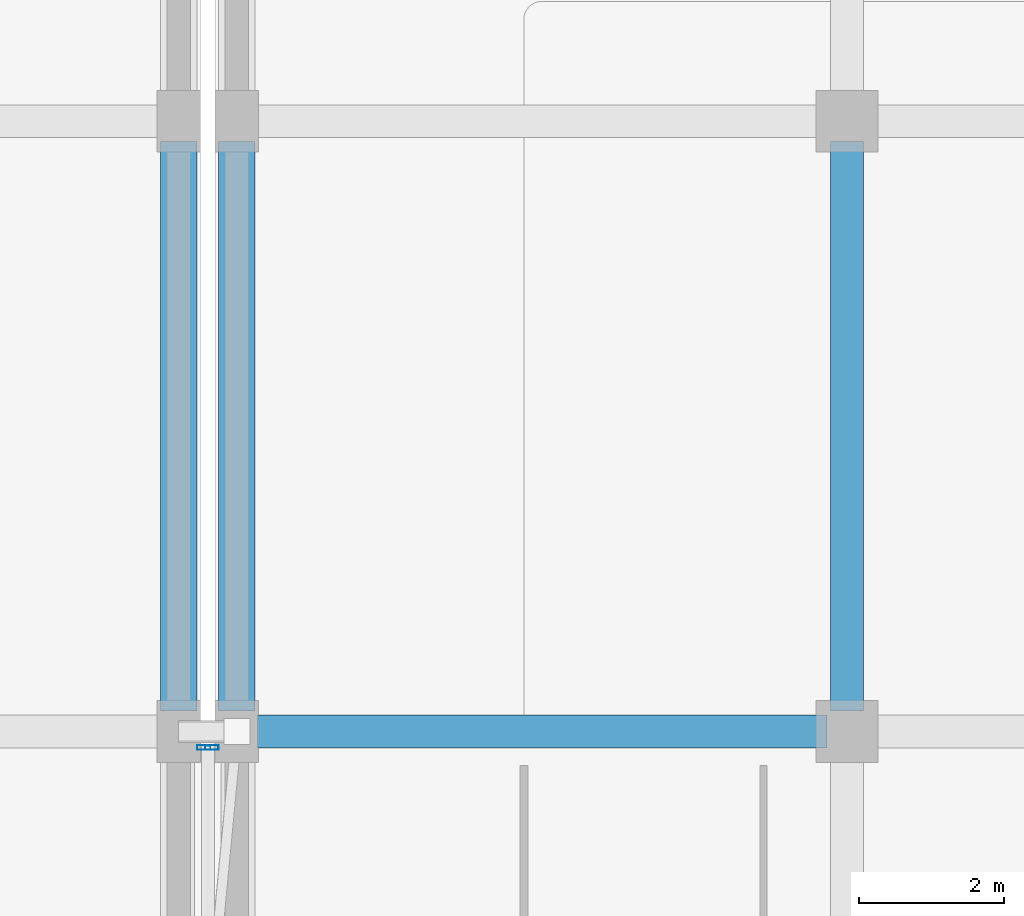
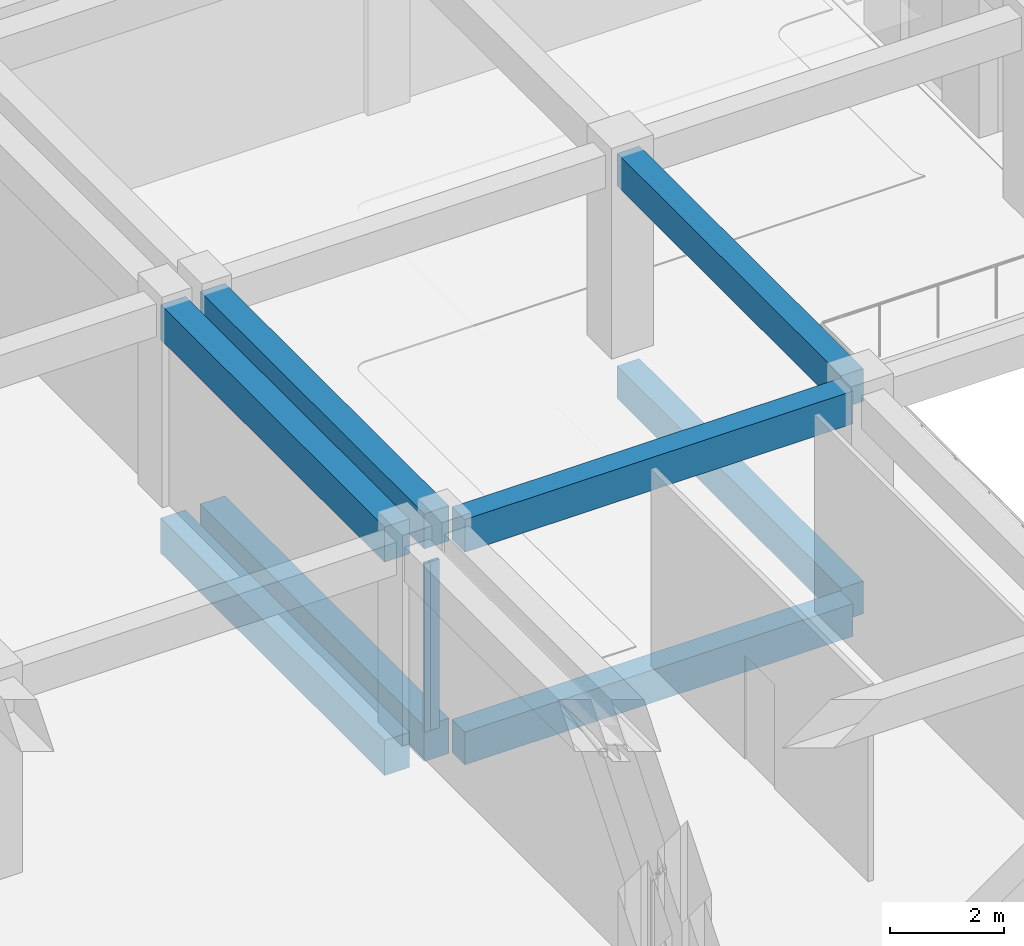
# One storey, part 34 of 129: 8 beams, 2 members, 1 element without a shape of its own.
"""IFC4 building model written with IfcOpenShell, lengths in metres."""

from ifc_helpers import new_model, si_unit, direction, frame, origin, origin_2d, place, context, subcontext, project, spatial, rectangle, hollow_rectangle, extrude, material, layer, layer_set, material_profile, profile_set, type_object, element, aggregate, save


model = new_model("IFC4")

# Units and contexts
model_context = context("Model", 3, precision=1e-05, world=origin(), true_north=direction((0.0, 1.0)))
body_context = subcontext(model_context, "Body", "Model", "MODEL_VIEW")
ifc_project = project(units=[si_unit("LENGTHUNIT", "METRE"), si_unit("AREAUNIT", "SQUARE_METRE"), si_unit("VOLUMEUNIT", "CUBIC_METRE"), si_unit("PLANEANGLEUNIT", "RADIAN"), si_unit("MASSUNIT", "GRAM", prefix="KILO")], contexts=[model_context])

# Site, building, storey
site_placement = place(None, origin())
site = spatial("IfcSite", under=ifc_project, at=site_placement, CompositionType="ELEMENT")
building_placement = place(site_placement, origin())
building = spatial("IfcBuilding", under=site, at=building_placement, Name="Xazarin Passage Department Store", CompositionType="ELEMENT")
storey_placement = place(building_placement, frame((0.0, 0.0, 9.89990234375)))
storey = spatial("IfcBuildingStorey", under=building, at=storey_placement, Name="L02", CompositionType="ELEMENT", Elevation=9.89990234375)

# Curtain wall, members
ifc_material_1 = material(Name="Bronze anodised aluminium", Category="aluminium")
ifc_layer = layer(ifc_material_1, 0.14990234375)
ifc_layer_set = layer_set([ifc_layer], Name="Bronze anodised aluminium")
curtain_wall_type = type_object("IfcCurtainWallType", Name="ARC-CW-BRG1", PredefinedType="NOTDEFINED", material=ifc_layer_set)
curtain_wall_placement = place(storey_placement, origin())
curtain_wall = element("IfcCurtainWall", 1, at=curtain_wall_placement, inside=storey, type_object=curtain_wall_type, Name="L02 BR-V2S-V3 Bridge Curtain Wall 2", PredefinedType="NOTDEFINED")
ifc_material_profile_1 = material_profile(ifc_material_1, hollow_rectangle(XDim=0.06494140625, YDim=0.179931640625, WallThickness=0.00390625, at=origin_2d()), Name="ALU 65x180")
ifc_profile_set_1 = profile_set([ifc_material_profile_1], Name="Bronze anodised aluminium")
member_type = type_object("IfcMemberType", Name="ARC-CWM-65x180", PredefinedType="MULLION", material=ifc_profile_set_1)
member_1_placement = place(storey_placement, frame((67.54248046875, 33.3798828125, 0.0), z_axis=(0.0, 0.0, 1.0), x_axis=(0.0, 1.0, 0.0)))
member_1 = element("IfcMember", 2, at=member_1_placement, type_object=member_type, Name="CW7 mullion 1", PredefinedType="MULLION", context=body_context, shape_type="SweptSolid", body=[
    extrude(hollow_rectangle(XDim=0.06494140625, YDim=0.179931640625, WallThickness=0.00390625, at=origin_2d()), origin(), (0.0, 0.0, 1.0), 3.60009765625),
])
member_2_placement = place(storey_placement, frame((67.657470703125, 33.3798828125, 0.0), z_axis=(0.0, 0.0, 1.0), x_axis=(0.0, 1.0, 0.0)))
member_2 = element("IfcMember", 3, at=member_2_placement, type_object=member_type, Name="CW7 mullion 2", PredefinedType="MULLION", context=body_context, shape_type="SweptSolid", body=[
    extrude(hollow_rectangle(XDim=0.06494140625, YDim=0.179931640625, WallThickness=0.00390625, at=origin_2d()), origin(), (0.0, 0.0, 1.0), 3.60009765625),
])
aggregate(curtain_wall, [member_1, member_2])

# Beams
ifc_material_2 = material(Name="Concrete C35/45", Category="concrete")
ifc_material_profile_2 = material_profile(ifc_material_2, rectangle(XDim=0.449951171875, YDim=0.699951171875, at=origin_2d()), Name="RC 450x700")
ifc_profile_set_2 = profile_set([ifc_material_profile_2], Name="Concrete C35/45")
beam_type_1 = type_object("IfcBeamType", Name="STR-BM-G450x700", PredefinedType="BEAM", material=ifc_profile_set_2)
for number, where, z_axis, x_axis, name in (
    (4, (68.280029296875, 33.60009765625, -0.64990234375), (1.0, 0.0, 0.0), (0.0, 1.0, 0.0), "L02 Grid Beam E/10-11"),
    (5, (76.39990234375, 33.8798828125, -0.64990234375), (0.0, 1.0, 0.0), (-1.0, 0.0, 0.0), "L02 Grid Beam 11/E-F"),
    (6, (68.280029296875, 33.60009765625, 3.89013671875), (1.0, 0.0, 0.0), (0.0, 1.0, 0.0), "L02 Grid Beam E/10-11"),
    (7, (76.39990234375, 33.8798828125, 3.89013671875), (0.0, 1.0, 0.0), (-1.0, 0.0, 0.0), "L02 Grid Beam 11/E-F"),
):
    element("IfcBeam", number, at=place(storey_placement, frame(where, z_axis=z_axis, x_axis=x_axis)), inside=storey, type_object=beam_type_1, Name=name, PredefinedType="BEAM", context=body_context, shape_type="SweptSolid", body=[
        extrude(rectangle(XDim=0.449951171875, YDim=0.699951171875, at=origin_2d()), origin(), (0.0, 0.0, 1.0), 7.840087890625),
    ])
ifc_material_profile_3 = material_profile(ifc_material_2, rectangle(XDim=0.5, YDim=0.75, at=origin_2d()), Name="RC 500x750")
ifc_profile_set_3 = profile_set([ifc_material_profile_3], Name="Concrete C35/45")
beam_type_2 = type_object("IfcBeamType", Name="STR-BM-SP500x750", PredefinedType="SPANDREL", material=ifc_profile_set_3)
for number, where, z_axis, x_axis, name in (
    (8, (68.0, 33.8798828125, -0.6748046875), (0.0, 1.0, 0.0), (-1.0, 0.0, 0.0), "L02 Grid Beam 10/E-F"),
    (9, (68.0, 33.8798828125, 3.864990234375), (0.0, 1.0, 0.0), (-1.0, 0.0, 0.0), "L02 Grid Beam 10/E-F"),
    (10, (67.199951171875, 33.8798828125, -0.69482421875), (0.0, 1.0, 0.0), (-1.0, 0.0, 0.0), "L02 Grid Beam 9/E-F"),
    (11, (67.199951171875, 33.8798828125, 3.864990234375), (0.0, 1.0, 0.0), (-1.0, 0.0, 0.0), "L02 Grid Beam 9/E-F"),
):
    element("IfcBeam", number, at=place(storey_placement, frame(where, z_axis=z_axis, x_axis=x_axis)), inside=storey, type_object=beam_type_2, Name=name, PredefinedType="SPANDREL", context=body_context, shape_type="SweptSolid", body=[
        extrude(rectangle(XDim=0.5, YDim=0.75, at=origin_2d()), origin(), (0.0, 0.0, 1.0), 7.840087890625),
    ])

save(model, "model.ifc")
